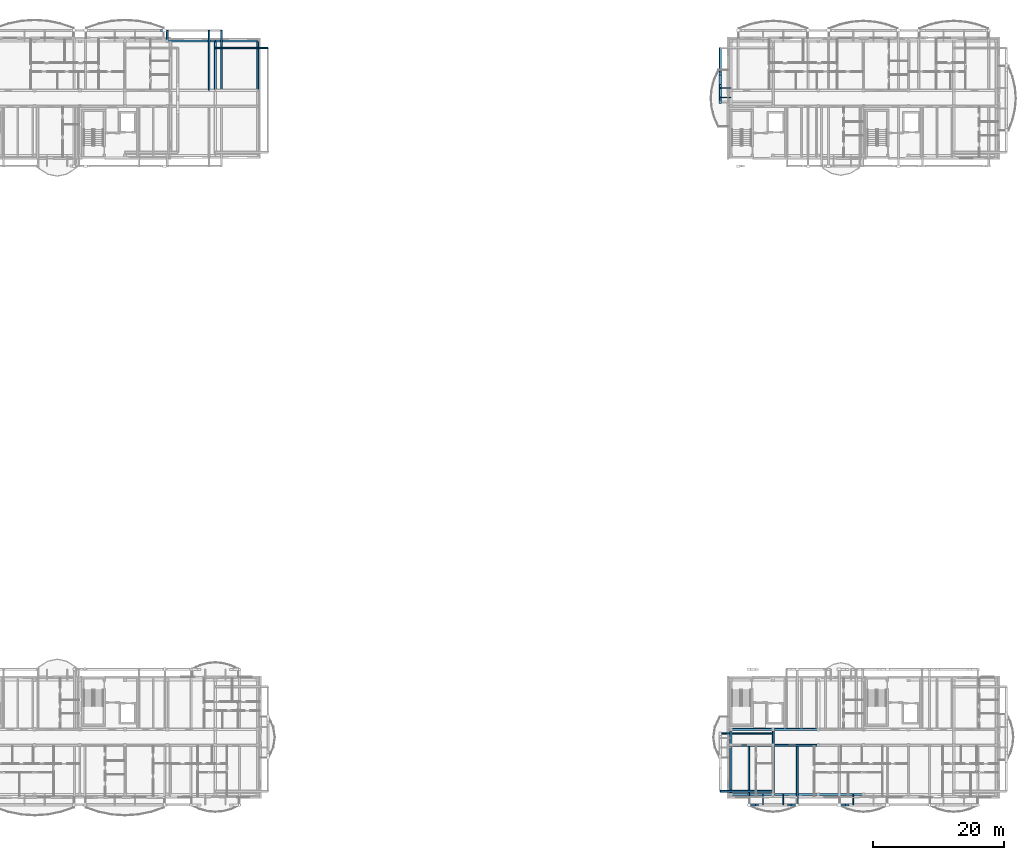
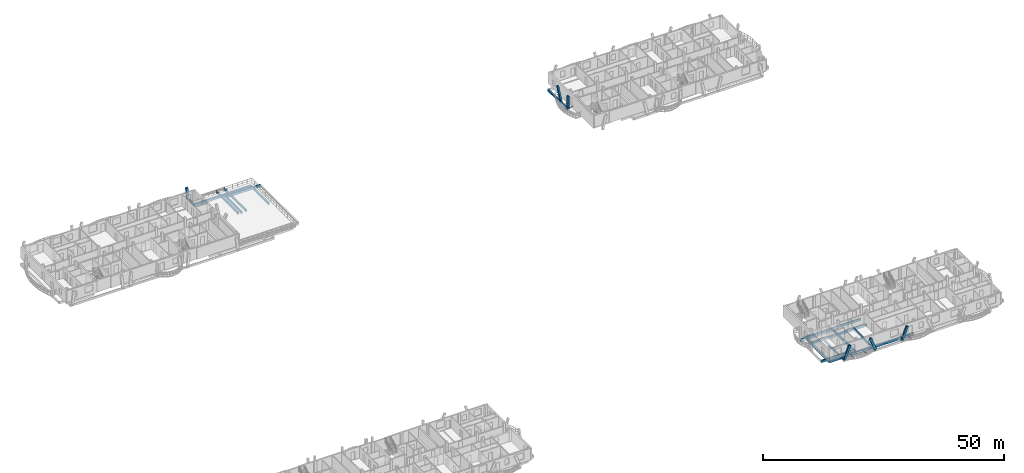
# One storey, part 6 of 42: 29 beams, 6 members.
"""IFC4 building model written with IfcOpenShell, lengths in metres."""

from ifc_helpers import new_model, si_unit, direction, frame, origin, origin_2d, place, context, subcontext, project, spatial, rectangle, i_section, extrude, material, material_profile, profile_set, type_object, element, save


model = new_model("IFC4")

# Units and contexts
model_context = context("Model", 3, precision=1e-05, world=origin(), true_north=direction((0.0, 1.0)))
body_context = subcontext(model_context, "Body", "Model", "MODEL_VIEW")
ifc_project = project(units=[si_unit("LENGTHUNIT", "METRE"), si_unit("AREAUNIT", "SQUARE_METRE"), si_unit("VOLUMEUNIT", "CUBIC_METRE"), si_unit("PLANEANGLEUNIT", "RADIAN"), si_unit("MASSUNIT", "GRAM", prefix="KILO")], contexts=[model_context])

# Site, building, storey
site_placement = place(None, origin())
site = spatial("IfcSite", under=ifc_project, at=site_placement, CompositionType="ELEMENT")
building_placement = place(site_placement, origin())
building = spatial("IfcBuilding", under=site, at=building_placement, Name="Zavelmont Quarter", CompositionType="ELEMENT")
storey_placement = place(building_placement, frame((0.0, 0.0, 24.0)))
storey = spatial("IfcBuildingStorey", under=building, at=storey_placement, Name="L07", CompositionType="ELEMENT", Elevation=24.0)

# Beams
ifc_material_1 = material(Name="Concrete C35/45", Category="concrete")
ifc_material_profile_1 = material_profile(ifc_material_1, rectangle(XDim=0.35009765625, YDim=0.60009765625, at=origin_2d()), Name="RC350X600")
ifc_profile_set_1 = profile_set([ifc_material_profile_1], Name="Concrete C35/45")
beam_type_1 = type_object("IfcBeamType", Name="BM01", PredefinedType="SPANDREL", material=ifc_profile_set_1)
beam_1_placement = place(storey_placement, frame((40.9599609375, 115.56005859375, -0.550048828125), z_axis=(1.0, 0.0, 0.0), x_axis=(0.0, 1.0, 0.0)))
element("IfcBeam", 1, at=beam_1_placement, inside=storey, type_object=beam_type_1, Name="L07 beam BM01 7/S to 8/S", PredefinedType="SPANDREL", context=body_context, shape_type="SweptSolid", body=[
    extrude(rectangle(XDim=0.35009765625, YDim=0.60009765625, at=origin_2d()), origin(), (0.0, 0.0, 1.0), 7.340087890625),
])
for number, where, z_axis, x_axis, name in (
    (2, (48.300048828125, 115.56005859375, -0.550048828125), (1.0, 0.0, 0.0), (0.0, 1.0, 0.0), "L07 beam BM01 8/S to 9/S"),
    (3, (127.0400390625, 0.43994140625, -0.550048828125), (1.0, 0.0, 0.0), (0.0, 1.0, 0.0), "L07 beam BM01 19/A to 20/A"),
):
    element("IfcBeam", number, at=place(storey_placement, frame(where, z_axis=z_axis, x_axis=x_axis)), inside=storey, type_object=beam_type_1, Name=name, PredefinedType="SPANDREL", context=body_context, shape_type="SweptSolid", body=[
        extrude(rectangle(XDim=0.35009765625, YDim=0.60009765625, at=origin_2d()), origin(), (0.0, 0.0, 1.0), 6.4599609375),
    ])
beam_2_placement = place(storey_placement, frame((133.5, 0.43994140625, -0.550048828125), z_axis=(1.0, 0.0, 0.0), x_axis=(0.0, 1.0, 0.0)))
element("IfcBeam", 4, at=beam_2_placement, inside=storey, type_object=beam_type_1, Name="L07 beam BM01 20/A to 21/A", PredefinedType="SPANDREL", context=body_context, shape_type="SweptSolid", body=[
    extrude(rectangle(XDim=0.35009765625, YDim=0.60009765625, at=origin_2d()), origin(), (0.0, 0.0, 1.0), 6.89990234375),
])
beam_3_placement = place(storey_placement, frame((140.39990234375, 0.43994140625, -0.550048828125), z_axis=(1.0, 0.0, 0.0), x_axis=(0.0, 1.0, 0.0)))
element("IfcBeam", 5, at=beam_3_placement, inside=storey, type_object=beam_type_1, Name="L07 beam BM01 21/A to 22/A", PredefinedType="SPANDREL", context=body_context, shape_type="SweptSolid", body=[
    extrude(rectangle(XDim=0.35009765625, YDim=0.60009765625, at=origin_2d()), origin(), (0.0, 0.0, 1.0), 6.900146484375),
])
ifc_material_profile_2 = material_profile(ifc_material_1, rectangle(XDim=0.300048828125, YDim=0.550048828125, at=origin_2d()), Name="RC300X550")
ifc_profile_set_2 = profile_set([ifc_material_profile_2], Name="Concrete C35/45")
beam_type_2 = type_object("IfcBeamType", Name="BM02", PredefinedType="SPANDREL", material=ifc_profile_set_2)
for number, where, z_axis, x_axis, name in (
    (6, (48.300048828125, 108.139892578125, -0.52490234375), (0.0, 1.0, 0.0), (-1.0, 0.0, 0.0), "L07 beam BM02 8/R to 8/S"),
    (7, (54.760009765625, 108.139892578125, -0.52490234375), (0.0, 1.0, 0.0), (-1.0, 0.0, 0.0), "L07 beam BM02 9/R to 9/S"),
):
    element("IfcBeam", number, at=place(storey_placement, frame(where, z_axis=z_axis, x_axis=x_axis)), inside=storey, type_object=beam_type_2, Name=name, PredefinedType="SPANDREL", context=body_context, shape_type="SweptSolid", body=[
        extrude(rectangle(XDim=0.300048828125, YDim=0.550048828125, at=origin_2d()), origin(), (0.0, 0.0, 1.0), 7.255126953125),
    ])
beam_4_placement = place(storey_placement, frame((127.0400390625, 8.0, -0.52490234375), z_axis=(1.0, 0.0, 0.0), x_axis=(0.0, 1.0, 0.0)))
element("IfcBeam", 8, at=beam_4_placement, inside=storey, type_object=beam_type_2, Name="L07 beam BM02 19/B to 20/B", PredefinedType="SPANDREL", context=body_context, shape_type="SweptSolid", body=[
    extrude(rectangle(XDim=0.300048828125, YDim=0.550048828125, at=origin_2d()), origin(), (0.0, 0.0, 1.0), 6.4599609375),
])
beam_5_placement = place(storey_placement, frame((133.5, 8.0, -0.52490234375), z_axis=(1.0, 0.0, 0.0), x_axis=(0.0, 1.0, 0.0)))
element("IfcBeam", 9, at=beam_5_placement, inside=storey, type_object=beam_type_2, Name="L07 beam BM02 20/B to 21/B", PredefinedType="SPANDREL", context=body_context, shape_type="SweptSolid", body=[
    extrude(rectangle(XDim=0.300048828125, YDim=0.550048828125, at=origin_2d()), origin(), (0.0, 0.0, 1.0), 6.89990234375),
])
beam_6_placement = place(storey_placement, frame((127.0400390625, 10.39990234375, -0.52490234375), z_axis=(1.0, 0.0, 0.0), x_axis=(0.0, 1.0, 0.0)))
element("IfcBeam", 10, at=beam_6_placement, inside=storey, type_object=beam_type_2, Name="L07 beam BM02 19/C to 20/C", PredefinedType="SPANDREL", context=body_context, shape_type="SweptSolid", body=[
    extrude(rectangle(XDim=0.300048828125, YDim=0.550048828125, at=origin_2d()), origin(), (0.0, 0.0, 1.0), 6.4599609375),
])
beam_7_placement = place(storey_placement, frame((133.5, 10.39990234375, -0.52490234375), z_axis=(1.0, 0.0, 0.0), x_axis=(0.0, 1.0, 0.0)))
element("IfcBeam", 11, at=beam_7_placement, inside=storey, type_object=beam_type_2, Name="L07 beam BM02 20/C to 21/C", PredefinedType="SPANDREL", context=body_context, shape_type="SweptSolid", body=[
    extrude(rectangle(XDim=0.300048828125, YDim=0.550048828125, at=origin_2d()), origin(), (0.0, 0.0, 1.0), 6.89990234375),
])
beam_8_placement = place(storey_placement, frame((127.0400390625, 0.43994140625, -0.52490234375), z_axis=(0.0, 1.0, 0.0), x_axis=(-1.0, 0.0, 0.0)))
element("IfcBeam", 12, at=beam_8_placement, inside=storey, type_object=beam_type_2, Name="L07 beam BM02 19/A to 19/B", PredefinedType="SPANDREL", context=body_context, shape_type="SweptSolid", body=[
    extrude(rectangle(XDim=0.300048828125, YDim=0.550048828125, at=origin_2d()), origin(), (0.0, 0.0, 1.0), 7.56005859375),
])
beam_9_placement = place(storey_placement, frame((127.0400390625, 8.0, -0.52490234375), z_axis=(0.0, 1.0, 0.0), x_axis=(-1.0, 0.0, 0.0)))
element("IfcBeam", 13, at=beam_9_placement, inside=storey, type_object=beam_type_2, Name="L07 beam BM02 19/B to 19/C", PredefinedType="SPANDREL", context=body_context, shape_type="SweptSolid", body=[
    extrude(rectangle(XDim=0.300048828125, YDim=0.550048828125, at=origin_2d()), origin(), (0.0, 0.0, 1.0), 2.39990234375),
])
beam_10_placement = place(storey_placement, frame((133.5, 0.43994140625, -0.52490234375), z_axis=(0.0, 1.0, 0.0), x_axis=(-1.0, 0.0, 0.0)))
element("IfcBeam", 14, at=beam_10_placement, inside=storey, type_object=beam_type_2, Name="L07 beam BM02 20/A to 20/B", PredefinedType="SPANDREL", context=body_context, shape_type="SweptSolid", body=[
    extrude(rectangle(XDim=0.300048828125, YDim=0.550048828125, at=origin_2d()), origin(), (0.0, 0.0, 1.0), 7.56005859375),
])
beam_11_placement = place(storey_placement, frame((133.5, 8.0, -0.52490234375), z_axis=(0.0, 1.0, 0.0), x_axis=(-1.0, 0.0, 0.0)))
element("IfcBeam", 15, at=beam_11_placement, inside=storey, type_object=beam_type_2, Name="L07 beam BM02 20/B to 20/C", PredefinedType="SPANDREL", context=body_context, shape_type="SweptSolid", body=[
    extrude(rectangle(XDim=0.300048828125, YDim=0.550048828125, at=origin_2d()), origin(), (0.0, 0.0, 1.0), 2.39990234375),
])
ifc_material_profile_3 = material_profile(ifc_material_1, rectangle(XDim=0.300048828125, YDim=0.5, at=origin_2d()), Name="RC300X500")
ifc_profile_set_3 = profile_set([ifc_material_profile_3], Name="Concrete C35/45")
beam_type_3 = type_object("IfcBeamType", Name="BM03", PredefinedType="BEAM", material=ifc_profile_set_3)
beam_12_placement = place(storey_placement, frame((125.449951171875, 106.25, -0.25), z_axis=(0.0, 1.0, 0.0), x_axis=(-1.0, 0.0, 0.0)))
element("IfcBeam", 16, at=beam_12_placement, inside=storey, type_object=beam_type_3, Name="L07 beam BM03 19/Q to 19/S", PredefinedType="BEAM", context=body_context, shape_type="SweptSolid", body=[
    extrude(rectangle(XDim=0.300048828125, YDim=0.5, at=origin_2d()), origin(), (0.0, 0.0, 1.0), 8.25),
])
ifc_material_2 = material(Name="Steel S355", Category="steel")
ifc_material_profile_4 = material_profile(ifc_material_2, i_section(OverallWidth=0.110107421875, OverallDepth=0.219970703125, WebThickness=0.005859375, FlangeThickness=0.00927734375, at=origin_2d()), Name="IPE 220")
ifc_profile_set_4 = profile_set([ifc_material_profile_4], Name="Steel S355")
beam_type_4 = type_object("IfcBeamType", Name="BM15", PredefinedType="JOIST", material=ifc_profile_set_4)
for number, where, z_axis, x_axis, name in (
    (17, (127.0400390625, 106.89990234375, -0.362060546875), (-1.0, 0.0, 0.0), (0.0, -1.0, 0.0), "L07 beam BM15 19/R to 19/R"),
    (18, (127.0400390625, 108.35009765625, -0.362060546875), (-1.0, 0.0, 0.0), (0.0, -1.0, 0.0), "L07 beam BM15 19/R to 19/R"),
):
    element("IfcBeam", number, at=place(storey_placement, frame(where, z_axis=z_axis, x_axis=x_axis)), inside=storey, type_object=beam_type_4, Name=name, PredefinedType="JOIST", context=body_context, shape_type="SweptSolid", body=[
        extrude(i_section(OverallWidth=0.110107421875, OverallDepth=0.219970703125, WebThickness=0.005859375, FlangeThickness=0.00927734375, at=origin_2d()), origin(), (0.0, 0.0, 1.0), 1.590087890625),
    ])
for number, where, z_axis, x_axis, name in (
    (19, (131.949951171875, 0.43994140625, -0.366943359375), (0.0, -1.0, 0.0), (1.0, 0.0, 0.0), "L07 beam BM15 20/A to 20/A"),
    (20, (135.050048828125, 0.43994140625, -0.366943359375), (0.0, -1.0, 0.0), (1.0, 0.0, 0.0), "L07 beam BM15 20/A to 20/A"),
    (21, (145.75, 0.43994140625, -0.362060546875), (0.0, -1.0, 0.0), (1.0, 0.0, 0.0), "L07 beam BM15 22/A to 22/A"),
):
    element("IfcBeam", number, at=place(storey_placement, frame(where, z_axis=z_axis, x_axis=x_axis)), inside=storey, type_object=beam_type_4, Name=name, PredefinedType="JOIST", context=body_context, shape_type="SweptSolid", body=[
        extrude(i_section(OverallWidth=0.110107421875, OverallDepth=0.219970703125, WebThickness=0.005859375, FlangeThickness=0.00927734375, at=origin_2d()), origin(), (0.0, 0.0, 1.0), 1.58984375),
    ])
ifc_material_3 = material(Name="Concrete C40/50", Category="concrete")
ifc_material_profile_5 = material_profile(ifc_material_3, rectangle(XDim=0.25, YDim=0.60009765625, at=origin_2d()), Name="RC250X600")
ifc_profile_set_5 = profile_set([ifc_material_profile_5], Name="Concrete C40/50")
beam_type_5 = type_object("IfcBeamType", Name="BM18", PredefinedType="BEAM", material=ifc_profile_set_5)
beam_13_placement = place(storey_placement, frame((40.9599609375, 115.56005859375, -0.300048828125), z_axis=(0.0, 1.0, 0.0), x_axis=(-1.0, 0.0, 0.0)))
element("IfcBeam", 22, at=beam_13_placement, inside=storey, type_object=beam_type_5, Name="L07 beam BM18 7/S to 7/S", PredefinedType="BEAM", context=body_context, shape_type="SweptSolid", body=[
    extrude(rectangle(XDim=0.25, YDim=0.60009765625, at=origin_2d()), origin(), (0.0, 0.0, 1.0), 1.58984375),
])
for number, where, z_axis, x_axis, name in (
    (23, (47.35009765625, 108.0, -0.300048828125), (0.0, 1.0, 0.0), (-1.0, 0.0, 0.0), "L07 beam BM18 8/R to 8/S"),
    (24, (49.25, 108.0, -0.300048828125), (0.0, 1.0, 0.0), (-1.0, 0.0, 0.0), "L07 beam BM18 8/R to 8/S"),
):
    element("IfcBeam", number, at=place(storey_placement, frame(where, z_axis=z_axis, x_axis=x_axis)), inside=storey, type_object=beam_type_5, Name=name, PredefinedType="BEAM", context=body_context, shape_type="SweptSolid", body=[
        extrude(rectangle(XDim=0.25, YDim=0.60009765625, at=origin_2d()), origin(), (0.0, 0.0, 1.0), 9.14990234375),
    ])
beam_14_placement = place(storey_placement, frame((48.300048828125, 114.5, -0.300048828125), z_axis=(1.0, 0.0, 0.0), x_axis=(0.0, 1.0, 0.0)))
element("IfcBeam", 25, at=beam_14_placement, inside=storey, type_object=beam_type_5, Name="L07 beam BM18 8/S to 9/S", PredefinedType="BEAM", context=body_context, shape_type="SweptSolid", body=[
    extrude(rectangle(XDim=0.25, YDim=0.60009765625, at=origin_2d()), origin(), (0.0, 0.0, 1.0), 8.050048828125),
])
for number, where, z_axis, x_axis, name in (
    (26, (129.798583984375, 8.0, -0.300048828125), (0.0, -1.0, 0.0), (1.0, 0.0, 0.0), "L07 beam BM18 19/B to 19/A"),
    (27, (137.201416015625, 8.0, -0.300048828125), (0.0, -1.0, 0.0), (1.0, 0.0, 0.0), "L07 beam BM18 21/B to 21/A"),
):
    element("IfcBeam", number, at=place(storey_placement, frame(where, z_axis=z_axis, x_axis=x_axis)), inside=storey, type_object=beam_type_5, Name=name, PredefinedType="BEAM", context=body_context, shape_type="SweptSolid", body=[
        extrude(rectangle(XDim=0.25, YDim=0.60009765625, at=origin_2d()), origin(), (0.0, 0.0, 1.0), 9.14990234375),
    ])
for number, where, z_axis, x_axis, name in (
    (28, (133.5, 0.949951171875, -0.300048828125), (-1.0, 0.0, 0.0), (0.0, -1.0, 0.0), "L07 beam BM18 20/A to 19/A"),
    (29, (133.5, 9.75, -0.300048828125), (-1.0, 0.0, 0.0), (0.0, -1.0, 0.0), "L07 beam BM18 20/C to 19/C"),
):
    element("IfcBeam", number, at=place(storey_placement, frame(where, z_axis=z_axis, x_axis=x_axis)), inside=storey, type_object=beam_type_5, Name=name, PredefinedType="BEAM", context=body_context, shape_type="SweptSolid", body=[
        extrude(rectangle(XDim=0.25, YDim=0.60009765625, at=origin_2d()), origin(), (0.0, 0.0, 1.0), 8.050048828125),
    ])

# Members
ifc_material_4 = material(Name="White architectural precast concrete C40/50", Category="concrete")
ifc_material_profile_6 = material_profile(ifc_material_4, rectangle(XDim=0.360107421875, YDim=0.5400390625, at=origin_2d()), Name="PCR280X420")
ifc_profile_set_6 = profile_set([ifc_material_profile_6], Name="White architectural precast concrete C40/50")
member_type = type_object("IfcMemberType", Name="VR02M", PredefinedType="CHORD", material=ifc_profile_set_6)
member_1_placement = place(storey_placement, frame((40.52099609375, 117.14990234375, 0.0), z_axis=(-0.096819258742, 0.0, 0.995301979872), x_axis=(0.0, -1.0, 0.0)))
element("IfcMember", 30, at=member_1_placement, inside=storey, type_object=member_type, Name="L07 member VR02M 7/S to 7/S", PredefinedType="CHORD", context=body_context, shape_type="SweptSolid", body=[
    extrude(rectangle(XDim=0.360107421875, YDim=0.5400390625, at=origin_2d()), origin(), (0.0, 0.0, 1.0), 3.215087890625),
])
member_2_placement = place(storey_placement, frame((125.449951171875, 106.300048828125, 0.0), z_axis=(0.0, 0.0, 1.0), x_axis=(1.0, 0.0, 0.0)))
element("IfcMember", 31, at=member_2_placement, inside=storey, type_object=member_type, Name="L07 member VR02M 19/Q to 19/Q", PredefinedType="CHORD", context=body_context, shape_type="SweptSolid", body=[
    extrude(rectangle(XDim=0.360107421875, YDim=0.5400390625, at=origin_2d()), origin(), (0.0, 0.0, 1.0), 3.199951171875),
])
member_3_placement = place(storey_placement, frame((125.449951171875, 109.123779296875, 0.0), z_axis=(0.0, 0.41686245092, 0.908969579806), x_axis=(-1.0, 0.0, 0.0)))
element("IfcMember", 32, at=member_3_placement, inside=storey, type_object=member_type, Name="L07 member VR02M 19/R to 19/R", PredefinedType="CHORD", context=body_context, shape_type="SweptSolid", body=[
    extrude(rectangle(XDim=0.360107421875, YDim=0.5400390625, at=origin_2d()), origin(), (0.0, 0.0, 1.0), 3.5205078125),
])
for number, where, z_axis, x_axis, name in (
    (33, (129.798583984375, -1.14990234375, 0.0), (0.363546998909, 0.0, 0.931575858202), (0.0, 1.0, 0.0), "L07 member VR02M 19/A to 20/A"),
    (34, (137.201416015625, -1.14990234375, 0.0), (-0.363546998909, 0.0, 0.931575858202), (0.0, -1.0, 0.0), "L07 member VR02M 21/A to 20/A"),
    (35, (143.5986328125, -1.14990234375, 0.0), (0.363546998909, 0.0, 0.931575858202), (0.0, 1.0, 0.0), "L07 member VR02M 21/A to 22/A"),
):
    element("IfcMember", number, at=place(storey_placement, frame(where, z_axis=z_axis, x_axis=x_axis)), inside=storey, type_object=member_type, Name=name, PredefinedType="CHORD", context=body_context, shape_type="SweptSolid", body=[
        extrude(rectangle(XDim=0.360107421875, YDim=0.5400390625, at=origin_2d()), origin(), (0.0, 0.0, 1.0), 3.43505859375),
    ])

save(model, "model.ifc")
